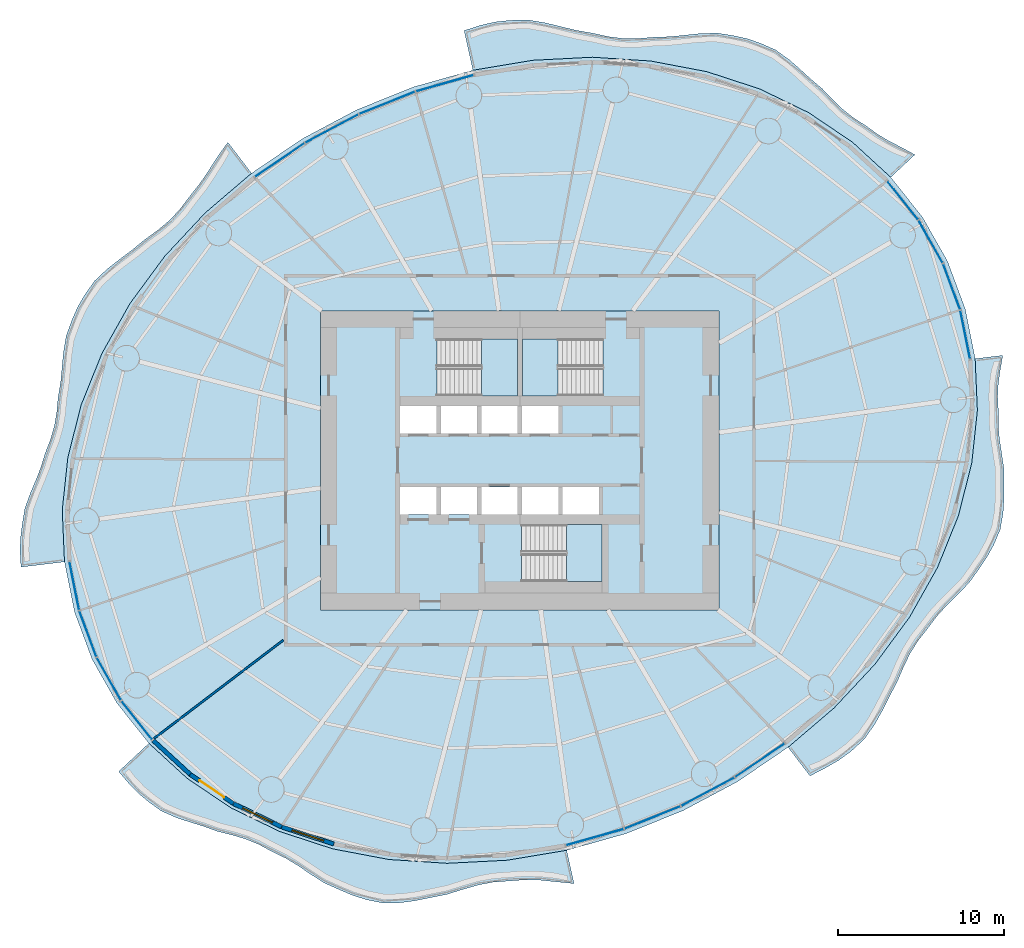
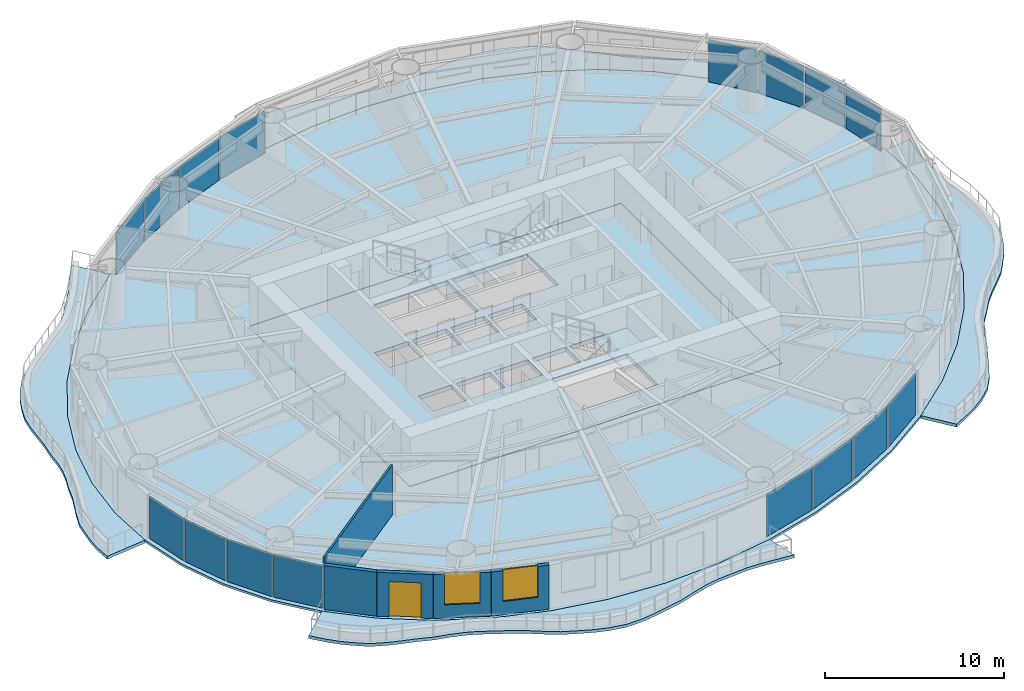
# One storey, part 7 of 14: 16 plates, 9 slabs, 5 walls, 2 windows, 1 door, 3 openings, 19 elements without a shape of their own.
"""IFC4 building model written with IfcOpenShell, lengths in metres."""

from ifc_helpers import new_model, si_unit, direction, frame, frame_2d, origin, origin_2d, place, context, subcontext, project, spatial, polyline, rectangle, outline, extrude, material, layer, layer_set, type_object, element, fill, aggregate, save


model = new_model("IFC4")

# Units and contexts
model_context = context("Model", 3, precision=1e-05, world=origin(), true_north=direction((0.0, 1.0)))
body_context = subcontext(model_context, "Body", "Model", "MODEL_VIEW")
ifc_project = project(units=[si_unit("LENGTHUNIT", "METRE"), si_unit("AREAUNIT", "SQUARE_METRE"), si_unit("VOLUMEUNIT", "CUBIC_METRE"), si_unit("PLANEANGLEUNIT", "RADIAN"), si_unit("MASSUNIT", "GRAM", prefix="KILO")], contexts=[model_context])

# Site, building, storey
site_placement = place(None, origin())
site = spatial("IfcSite", under=ifc_project, at=site_placement, CompositionType="ELEMENT")
building_placement = place(site_placement, origin())
building = spatial("IfcBuilding", under=site, at=building_placement, Name="Vermilion Reach Broadcast Tower", CompositionType="ELEMENT")
storey_placement = place(building_placement, frame((0.0, 0.0, 131.800048828125)))
storey = spatial("IfcBuildingStorey", under=building, at=storey_placement, Name="L31", CompositionType="ELEMENT", Elevation=131.800048828125)

# Slabs
ifc_material_1 = material(Name="Concrete C40/50", Category="concrete")
ifc_layer_1 = layer(ifc_material_1, 0.199951171875)
ifc_layer_set_1 = layer_set([ifc_layer_1], Name="Balcony slab 200")
slab_type_1 = type_object("IfcSlabType", Name="Balcony slab 200", PredefinedType="FLOOR", material=ifc_layer_set_1)
placement_1 = place(storey_placement, frame((0.0, 0.0, -0.199951171875)))
element("IfcSlab", 1, at=placement_1, inside=storey, type_object=slab_type_1, Name="Balcony slab L31 group 1", PredefinedType="FLOOR", context=body_context, shape_type="SweptSolid", body=[
    extrude(outline(polyline([(16.330078125, 17.0380859375), (14.031005859375, 19.147705078125), (11.388916015625, 20.9296875), (8.449462890625, 22.353515625), (5.262939453125, 23.39501953125), (1.883544921875, 24.0361328125), (-1.630859375, 24.265869140625), (-5.2197265625, 24.08056640625), (-8.822265625, 23.483154296875), (-9.35400390625, 25.87060546875), (-8.346435546875, 26.1943359375), (-7.45458984375, 26.396240234375), (-6.544677734375, 26.489990234375), (-5.482666015625, 26.5068359375), (-4.436279296875, 26.331298828125), (-3.525390625, 26.10986328125), (-2.6142578125, 25.889892578125), (-1.620849609375, 25.71630859375), (-0.667236328125, 25.507568359375), (0.2080078125, 25.3984375), (1.08984375, 25.39111328125), (2.066162109375, 25.472412109375), (3.037353515625, 25.5048828125), (3.929443359375, 25.593505859375), (4.822509765625, 25.6875), (5.861328125, 25.72265625), (6.855224609375, 25.569091796875), (7.67724609375, 25.38623046875), (8.470703125, 25.116455078125), (9.3994140625, 24.70751953125), (10.213623046875, 24.1220703125), (10.85107421875, 23.56494140625), (11.478271484375, 22.986572265625), (12.214599609375, 22.36376953125), (12.862060546875, 21.688720703125), (13.445068359375, 21.128662109375), (14.07080078125, 20.631591796875), (14.822021484375, 20.150390625), (15.533935546875, 19.6318359375), (16.220703125, 19.226318359375), (16.939208984375, 18.855712890625), (17.78662109375, 18.397705078125), (16.330078125, 17.0380859375)])), origin(), (0.0, 0.0, 1.0), 0.199951171875),
])
element("IfcSlab", 2, at=placement_1, inside=storey, type_object=slab_type_1, Name="Balcony slab L31 group 2", PredefinedType="FLOOR", context=body_context, shape_type="SweptSolid", body=[
    extrude(outline(polyline([(-22.151123046875, 17.279296875), (-24.927490234375, 14.907470703125), (-27.380126953125, 12.28076171875), (-29.467041015625, 9.44384765625), (-31.15234375, 6.4453125), (-32.4072265625, 3.33642578125), (-33.210205078125, 0.170654296875), (-33.5478515625, -2.998291015625), (-33.413818359375, -6.11572265625), (-36.032470703125, -6.43212890625), (-36.091552734375, -5.449951171875), (-36.06201171875, -4.667724609375), (-35.9599609375, -3.882568359375), (-35.80810546875, -2.9267578125), (-35.474365234375, -1.991943359375), (-35.14990234375, -1.225341796875), (-34.845458984375, -0.45654296875), (-34.576904296875, 0.41552734375), (-34.24658203125, 1.27587890625), (-34.0224609375, 2.0615234375), (-33.883544921875, 2.868408203125), (-33.797119140625, 3.791015625), (-33.64208984375, 4.73876953125), (-33.558349609375, 5.60888671875), (-33.478515625, 6.48046875), (-33.31396484375, 7.483642578125), (-32.96337890625, 8.44970703125), (-32.6142578125, 9.23974609375), (-32.180908203125, 9.982666015625), (-31.58935546875, 10.8134765625), (-30.82080078125, 11.532470703125), (-30.09912109375, 12.0947265625), (-29.362060546875, 12.6455078125), (-28.5869140625, 13.281982421875), (-27.769287109375, 13.873046875), (-27.078125, 14.457275390625), (-26.463134765625, 15.112060546875), (-25.8720703125, 15.894775390625), (-25.24560546875, 16.685302734375), (-24.717529296875, 17.472900390625), (-24.203369140625, 18.2763671875), (-23.576904296875, 19.146728515625), (-22.151123046875, 17.279296875)])), origin(), (0.0, 0.0, 1.0), 0.199951171875),
])
element("IfcSlab", 3, at=placement_1, inside=storey, type_object=slab_type_1, Name="Balcony slab L31 group 3", PredefinedType="FLOOR", context=body_context, shape_type="SweptSolid", body=[
    extrude(outline(polyline([(-28.330078125, -17.0380859375), (-26.031005859375, -19.147705078125), (-23.388916015625, -20.9296875), (-20.449462890625, -22.353515625), (-17.262939453125, -23.39501953125), (-13.883544921875, -24.0361328125), (-10.369140625, -24.265869140625), (-6.7802734375, -24.08056640625), (-3.177734375, -23.483154296875), (-2.7314453125, -25.48681640625), (-3.788330078125, -25.381591796875), (-4.729736328125, -25.28564453125), (-5.66015625, -25.255126953125), (-6.644775390625, -25.330322265625), (-7.611572265625, -25.40087890625), (-8.502685546875, -25.570068359375), (-9.38916015625, -25.82275390625), (-10.382080078125, -26.13330078125), (-11.386962890625, -26.334716796875), (-12.28125, -26.51708984375), (-13.17138671875, -26.63818359375), (-14.217041015625, -26.661376953125), (-15.21923828125, -26.463134765625), (-16.044921875, -26.201416015625), (-16.85546875, -25.860595703125), (-17.788818359375, -25.4404296875), (-18.63525390625, -24.896240234375), (-19.35693359375, -24.40625), (-20.092529296875, -23.958740234375), (-20.932861328125, -23.551513671875), (-21.7294921875, -23.12255859375), (-22.48583984375, -22.81103515625), (-23.277587890625, -22.57275390625), (-24.202392578125, -22.3427734375), (-25.087890625, -22.023681640625), (-25.8837890625, -21.77880859375), (-26.66943359375, -21.51904296875), (-27.585205078125, -21.117919921875), (-28.373291015625, -20.546630859375), (-28.971923828125, -20.04541015625), (-29.5166015625, -19.48486328125), (-30.152099609375, -18.739013671875), (-28.330078125, -17.0380859375)])), origin(), (0.0, 0.0, 1.0), 0.199951171875),
])
element("IfcSlab", 4, at=placement_1, inside=storey, type_object=slab_type_1, Name="Balcony slab L31 group 4", PredefinedType="FLOOR", context=body_context, shape_type="SweptSolid", body=[
    extrude(outline(polyline([(10.151123046875, -17.279296875), (12.927490234375, -14.907470703125), (15.380126953125, -12.28076171875), (17.467041015625, -9.44384765625), (19.15234375, -6.4453125), (20.4072265625, -3.33642578125), (21.210205078125, -0.170654296875), (21.5478515625, 2.998291015625), (21.413818359375, 6.11572265625), (23.080078125, 6.31689453125), (22.92041015625, 5.399658203125), (22.809814453125, 4.614013671875), (22.770263671875, 3.83154296875), (22.814208984375, 2.958251953125), (22.80712890625, 2.06298828125), (22.881103515625, 1.25390625), (23.007568359375, 0.439208984375), (23.146240234375, -0.517333984375), (23.14697265625, -1.504150390625), (23.151123046875, -2.34765625), (23.098388671875, -3.1767578125), (22.92626953125, -4.16015625), (22.53271484375, -5.098388671875), (22.122802734375, -5.836669921875), (21.64208984375, -6.54638671875), (21.06201171875, -7.362548828125), (20.3466796875, -8.10302734375), (19.709716796875, -8.7314453125), (19.114501953125, -9.38330078125), (18.546630859375, -10.140625), (17.953857421875, -10.89501953125), (17.489501953125, -11.646240234375), (17.0986328125, -12.451904296875), (16.702880859375, -13.37841796875), (16.218505859375, -14.29248046875), (15.798583984375, -15.129638671875), (15.34521484375, -15.935791015625), (14.734130859375, -16.795654296875), (13.953857421875, -17.5146484375), (13.214599609375, -18.0546875), (12.411376953125, -18.519775390625), (11.470458984375, -19.00732421875), (10.151123046875, -17.279296875)])), origin(), (0.0, 0.0, 1.0), 0.199951171875),
])
ifc_material_2 = material(Name="Concrete C40", Category="concrete")
ifc_layer_2 = layer(ifc_material_2, 0.300048828125)
ifc_layer_set_2 = layer_set([ifc_layer_2], Name="Core floor slab 300 mm Concrete C40")
slab_type_2 = type_object("IfcSlabType", Name="Core floor slab 300 mm Concrete C40", PredefinedType="FLOOR", material=ifc_layer_set_2)
slab_5_placement = place(storey_placement, frame((0.0, 0.0, -0.300048828125)))
element("IfcSlab", 5, at=slab_5_placement, inside=storey, type_object=slab_type_2, Name="L31 core floor", PredefinedType="FLOOR", context=body_context, shape_type="SweptSolid", body=[
    extrude(outline(polyline([(-18.0, -9.0), (6.0, -9.0), (6.0, 9.0), (-18.0, 9.0), (-18.0, -9.0)]), holes=[polyline([(-13.199951171875, 1.60009765625), (-11.00830078125, 1.60009765625), (-11.00830078125, 3.280029296875), (-13.199951171875, 3.280029296875), (-13.199951171875, 1.60009765625)]), polyline([(-10.75830078125, 1.60009765625), (-8.566650390625, 1.60009765625), (-8.566650390625, 3.280029296875), (-10.75830078125, 3.280029296875), (-10.75830078125, 1.60009765625)]), polyline([(-8.316650390625, 1.60009765625), (-6.125, 1.60009765625), (-6.125, 3.280029296875), (-8.316650390625, 3.280029296875), (-8.316650390625, 1.60009765625)]), polyline([(-5.875, 1.60009765625), (-3.683349609375, 1.60009765625), (-3.683349609375, 3.280029296875), (-5.875, 3.280029296875), (-5.875, 1.60009765625)]), polyline([(-13.199951171875, -3.280029296875), (-11.00830078125, -3.280029296875), (-11.00830078125, -1.60009765625), (-13.199951171875, -1.60009765625), (-13.199951171875, -3.280029296875)]), polyline([(-10.75830078125, -3.280029296875), (-8.566650390625, -3.280029296875), (-8.566650390625, -1.60009765625), (-10.75830078125, -1.60009765625), (-10.75830078125, -3.280029296875)]), polyline([(-8.316650390625, -3.280029296875), (-6.125, -3.280029296875), (-6.125, -1.60009765625), (-8.316650390625, -1.60009765625), (-8.316650390625, -3.280029296875)]), polyline([(-5.875, -3.280029296875), (-3.683349609375, -3.280029296875), (-3.683349609375, -1.60009765625), (-5.875, -1.60009765625), (-5.875, -3.280029296875)]), polyline([(-3.433349609375, -3.280029296875), (-1.24169921875, -3.280029296875), (-1.24169921875, -1.60009765625), (-3.433349609375, -1.60009765625), (-3.433349609375, -3.280029296875)]), polyline([(-10.999267578125, 3.8798828125), (-6.14990234375, 3.8798828125), (-6.14990234375, 7.300048828125), (-10.999267578125, 7.300048828125), (-10.999267578125, 3.8798828125)]), polyline([(-1.000732421875, 7.300048828125), (-5.85009765625, 7.300048828125), (-5.85009765625, 3.8798828125), (-1.000732421875, 3.8798828125), (-1.000732421875, 7.300048828125)]), polyline([(-5.8994140625, -7.300048828125), (-1.050048828125, -7.300048828125), (-1.050048828125, -3.8798828125), (-5.8994140625, -3.8798828125), (-5.8994140625, -7.300048828125)])]), origin(), (0.0, 0.0, 1.0), 0.300048828125),
])

# Stair, slab
ifc_material_3 = material(Name="Concrete C40", Category="concrete")
stair_type = type_object("IfcStairType", Name="Exit stair RC 22 risers 164 mm", PredefinedType="HALF_TURN_STAIR", material=ifc_material_3)
placement_2 = place(storey_placement, origin())
stair_1 = element("IfcStair", 6, at=placement_2, inside=storey, type_object=stair_type, Name="L31 Exit stair ST1", PredefinedType="HALF_TURN_STAIR")
ifc_material_4 = material(Name="Concrete C40", Category="concrete")
ifc_layer_3 = layer(ifc_material_4, 0.199951171875)
ifc_layer_set_3 = layer_set([ifc_layer_3], Name="Exit stair landing Concrete C40")
slab_type_3 = type_object("IfcSlabType", Name="Exit stair landing Concrete C40", PredefinedType="LANDING", material=ifc_layer_set_3)
placement_3 = place(storey_placement, frame((0.0, 0.0, 1.599853515625)))
slab_6 = element("IfcSlab", 7, at=placement_3, type_object=slab_type_3, Name="ST1 landing 1", PredefinedType="LANDING", context=body_context, shape_type="SweptSolid", body=[
    extrude(outline(polyline([(-8.300048828125, 3.8798828125), (-6.14990234375, 3.8798828125), (-6.14990234375, 7.300048828125), (-8.300048828125, 7.300048828125), (-8.300048828125, 3.8798828125)])), origin(), (0.0, 0.0, 1.0), 0.2001953125),
])
aggregate(stair_1, [slab_6])

stair_2 = element("IfcStair", 8, at=placement_2, inside=storey, type_object=stair_type, Name="L31 Exit stair ST2", PredefinedType="HALF_TURN_STAIR")
slab_7 = element("IfcSlab", 9, at=placement_3, type_object=slab_type_3, Name="ST2 landing 1", PredefinedType="LANDING", context=body_context, shape_type="SweptSolid", body=[
    extrude(outline(polyline([(-3.699951171875, 7.300048828125), (-5.85009765625, 7.300048828125), (-5.85009765625, 3.8798828125), (-3.699951171875, 3.8798828125), (-3.699951171875, 7.300048828125)])), origin(), (0.0, 0.0, 1.0), 0.2001953125),
])
aggregate(stair_2, [slab_7])

stair_3 = element("IfcStair", 10, at=placement_2, inside=storey, type_object=stair_type, Name="L31 Exit stair ST3", PredefinedType="HALF_TURN_STAIR")
slab_8 = element("IfcSlab", 11, at=placement_3, type_object=slab_type_3, Name="ST3 landing 1", PredefinedType="LANDING", context=body_context, shape_type="SweptSolid", body=[
    extrude(outline(polyline([(-3.199951171875, -7.300048828125), (-1.050048828125, -7.300048828125), (-1.050048828125, -3.8798828125), (-3.199951171875, -3.8798828125), (-3.199951171875, -7.300048828125)])), origin(), (0.0, 0.0, 1.0), 0.2001953125),
])
aggregate(stair_3, [slab_8])

# Slab
ifc_material_5 = material(Name="Concrete C40", Category="concrete")
ifc_layer_4 = layer(ifc_material_5, 0.14990234375)
ifc_layer_set_4 = layer_set([ifc_layer_4], Name="Floor slab Concrete C40 composite 150")
slab_type_4 = type_object("IfcSlabType", Name="Floor slab Concrete C40 composite 150", PredefinedType="FLOOR", material=ifc_layer_set_4)
slab_9_placement = place(storey_placement, frame((0.0, 0.0, -0.150146484375)))
element("IfcSlab", 12, at=slab_9_placement, inside=storey, type_object=slab_type_4, Name="Floor slab L31", PredefinedType="FLOOR", context=body_context, shape_type="SweptSolid", body=[
    extrude(outline(polyline([(19.74951171875, 11.9853515625), (18.2470703125, 14.636962890625), (16.330078125, 17.0380859375), (14.031005859375, 19.147705078125), (11.388916015625, 20.9296875), (8.449462890625, 22.353515625), (5.262939453125, 23.39501953125), (1.883544921875, 24.0361328125), (-1.630859375, 24.265869140625), (-5.2197265625, 24.08056640625), (-8.822265625, 23.483154296875), (-12.376220703125, 22.484130859375), (-15.8212890625, 21.10009765625), (-19.09814453125, 19.355224609375), (-22.151123046875, 17.279296875), (-24.927490234375, 14.907470703125), (-27.380126953125, 12.28076171875), (-29.467041015625, 9.44384765625), (-31.15234375, 6.4453125), (-32.4072265625, 3.33642578125), (-33.210205078125, 0.170654296875), (-33.5478515625, -2.998291015625), (-33.413818359375, -6.11572265625), (-32.81103515625, -9.128662109375), (-31.74951171875, -11.9853515625), (-30.2470703125, -14.636962890625), (-28.330078125, -17.0380859375), (-26.031005859375, -19.147705078125), (-23.388916015625, -20.9296875), (-20.449462890625, -22.353515625), (-17.262939453125, -23.39501953125), (-13.883544921875, -24.0361328125), (-10.369140625, -24.265869140625), (-6.7802734375, -24.08056640625), (-3.177734375, -23.483154296875), (0.376220703125, -22.484130859375), (3.8212890625, -21.10009765625), (7.09814453125, -19.355224609375), (10.151123046875, -17.279296875), (12.927490234375, -14.907470703125), (15.380126953125, -12.28076171875), (17.467041015625, -9.44384765625), (19.15234375, -6.4453125), (20.4072265625, -3.33642578125), (21.210205078125, -0.170654296875), (21.5478515625, 2.998291015625), (21.413818359375, 6.11572265625), (20.81103515625, 9.128662109375), (19.74951171875, 11.9853515625)]), holes=[polyline([(-18.0, -9.0), (6.0, -9.0), (6.0, 9.0), (-18.0, 9.0), (-18.0, -9.0)])]), origin(), (0.0, 0.0, 1.0), 0.150146484375),
])

# Curtain wall, plate
ifc_material_6 = material(Name="Low-e laminated clear glass in aluminium frame", Category="aluminium")
curtain_wall_type = type_object("IfcCurtainWallType", Name="Slot curtain wall", PredefinedType="NOTDEFINED", material=ifc_material_6)
curtain_wall_1 = element("IfcCurtainWall", 13, at=placement_2, inside=storey, type_object=curtain_wall_type, Name="Slot curtain wall L31 46", PredefinedType="NOTDEFINED")
ifc_material_7 = material(Name="Low-e laminated clear glass", Category="glass")
ifc_layer_5 = layer(ifc_material_7, 0.028076171875)
ifc_layer_set_5 = layer_set([ifc_layer_5], Name="Slot glass panel")
plate_type = type_object("IfcPlateType", Name="Slot glass panel", PredefinedType="CURTAIN_PANEL", material=ifc_layer_set_5)
plate_1_placement = place(storey_placement, frame((20.8193359375, 7.563232421875, 0.0), z_axis=(0.0, 0.0, 1.0), x_axis=(-0.196210965513, 0.980561704847, 0.0)))
plate_1 = element("IfcPlate", 14, at=plate_1_placement, type_object=plate_type, Name="Slot glass panel L31 46", PredefinedType="CURTAIN_PANEL", context=body_context, shape_type="SweptSolid", body=[
    extrude(rectangle(XDim=2.945556640625, YDim=0.028076171875, at=origin_2d()), origin(), (0.0, 0.0, 1.0), 2.89990234375),
])
aggregate(curtain_wall_1, [plate_1])

curtain_wall_2 = element("IfcCurtainWall", 15, at=placement_2, inside=storey, type_object=curtain_wall_type, Name="Slot curtain wall L31 47", PredefinedType="NOTDEFINED")
plate_2_placement = place(storey_placement, frame((20.0, 10.45263671875, 0.0), z_axis=(0.0, 0.0, 1.0), x_axis=(-0.348355642205, 0.937362441398, 0.0)))
plate_2 = element("IfcPlate", 16, at=plate_2_placement, type_object=plate_type, Name="Slot glass panel L31 47", PredefinedType="CURTAIN_PANEL", context=body_context, shape_type="SweptSolid", body=[
    extrude(rectangle(XDim=2.919921875, YDim=0.028076171875, at=origin_2d()), origin(), (0.0, 0.0, 1.0), 2.89990234375),
])
aggregate(curtain_wall_2, [plate_2])

curtain_wall_3 = element("IfcCurtainWall", 17, at=placement_2, inside=storey, type_object=curtain_wall_type, Name="Slot curtain wall L31 00", PredefinedType="NOTDEFINED")
plate_3_placement = place(storey_placement, frame((18.738037109375, 13.16357421875, 0.0), z_axis=(0.0, 0.0, 1.0), x_axis=(-0.492928174306, 0.87007000579, 0.0)))
plate_3 = element("IfcPlate", 18, at=plate_3_placement, type_object=plate_type, Name="Slot glass panel L31 00", PredefinedType="CURTAIN_PANEL", context=body_context, shape_type="SweptSolid", body=[
    extrude(rectangle(XDim=2.919921875, YDim=0.028076171875, at=origin_2d()), origin(), (0.0, 0.0, 1.0), 2.89990234375),
])
aggregate(curtain_wall_3, [plate_3])

curtain_wall_4 = element("IfcCurtainWall", 19, at=placement_2, inside=storey, type_object=curtain_wall_type, Name="Slot curtain wall L31 01", PredefinedType="NOTDEFINED")
plate_4_placement = place(storey_placement, frame((17.054931640625, 15.65087890625, 0.0), z_axis=(0.0, 0.0, 1.0), x_axis=(-0.623941312203, 0.781471201597, 0.0)))
plate_4 = element("IfcPlate", 20, at=plate_4_placement, type_object=plate_type, Name="Slot glass panel L31 01", PredefinedType="CURTAIN_PANEL", context=body_context, shape_type="SweptSolid", body=[
    extrude(rectangle(XDim=2.945556640625, YDim=0.028076171875, at=origin_2d()), origin(), (0.0, 0.0, 1.0), 2.89990234375),
])
aggregate(curtain_wall_4, [plate_4])

curtain_wall_5 = element("IfcCurtainWall", 21, at=placement_2, inside=storey, type_object=curtain_wall_type, Name="Slot curtain wall L31 10", PredefinedType="NOTDEFINED")
plate_5_placement = place(storey_placement, frame((-10.518310546875, 22.6953125, 0.0), z_axis=(0.0, 0.0, 1.0), x_axis=(-0.962680136913, -0.270641744733, 0.0)))
plate_5 = element("IfcPlate", 22, at=plate_5_placement, type_object=plate_type, Name="Slot glass panel L31 10", PredefinedType="CURTAIN_PANEL", context=body_context, shape_type="SweptSolid", body=[
    extrude(rectangle(XDim=3.579345703125, YDim=0.028076171875, at=origin_2d()), origin(), (0.0, 0.0, 1.0), 2.89990234375),
])
aggregate(curtain_wall_5, [plate_5])

curtain_wall_6 = element("IfcCurtainWall", 23, at=placement_2, inside=storey, type_object=curtain_wall_type, Name="Slot curtain wall L31 11", PredefinedType="NOTDEFINED")
plate_6_placement = place(storey_placement, frame((-13.987060546875, 21.51416015625, 0.0), z_axis=(0.0, 0.0, 1.0), x_axis=(-0.927929446802, -0.372755874209, 0.0)))
plate_6 = element("IfcPlate", 24, at=plate_6_placement, type_object=plate_type, Name="Slot glass panel L31 11", PredefinedType="CURTAIN_PANEL", context=body_context, shape_type="SweptSolid", body=[
    extrude(rectangle(XDim=3.600341796875, YDim=0.028076171875, at=origin_2d()), origin(), (0.0, 0.0, 1.0), 2.89990234375),
])
aggregate(curtain_wall_6, [plate_6])

curtain_wall_7 = element("IfcCurtainWall", 25, at=placement_2, inside=storey, type_object=curtain_wall_type, Name="Slot curtain wall L31 12", PredefinedType="NOTDEFINED")
plate_7_placement = place(storey_placement, frame((-17.31884765625, 19.96337890625, 0.0), z_axis=(0.0, 0.0, 1.0), x_axis=(-0.882666279553, -0.470000254191, 0.0)))
plate_7 = element("IfcPlate", 26, at=plate_7_placement, type_object=plate_type, Name="Slot glass panel L31 12", PredefinedType="CURTAIN_PANEL", context=body_context, shape_type="SweptSolid", body=[
    extrude(rectangle(XDim=3.600341796875, YDim=0.028076171875, at=origin_2d()), origin(), (0.0, 0.0, 1.0), 2.89990234375),
])
aggregate(curtain_wall_7, [plate_7])

curtain_wall_8 = element("IfcCurtainWall", 27, at=placement_2, inside=storey, type_object=curtain_wall_type, Name="Slot curtain wall L31 13", PredefinedType="NOTDEFINED")
plate_8_placement = place(storey_placement, frame((-20.4560546875, 18.069580078125, 0.0), z_axis=(0.0, 0.0, 1.0), x_axis=(-0.826908360981, -0.562336698553, 0.0)))
plate_8 = element("IfcPlate", 28, at=plate_8_placement, type_object=plate_type, Name="Slot glass panel L31 13", PredefinedType="CURTAIN_PANEL", context=body_context, shape_type="SweptSolid", body=[
    extrude(rectangle(XDim=3.579345703125, YDim=0.028076171875, at=origin_2d()), origin(), (0.0, 0.0, 1.0), 2.89990234375),
])
aggregate(curtain_wall_8, [plate_8])

curtain_wall_9 = element("IfcCurtainWall", 29, at=placement_2, inside=storey, type_object=curtain_wall_type, Name="Slot curtain wall L31 22", PredefinedType="NOTDEFINED")
plate_9_placement = place(storey_placement, frame((-32.8193359375, -7.563232421875, 0.0), z_axis=(0.0, 0.0, 1.0), x_axis=(0.196210965513, -0.980561704847, 0.0)))
plate_9 = element("IfcPlate", 30, at=plate_9_placement, type_object=plate_type, Name="Slot glass panel L31 22", PredefinedType="CURTAIN_PANEL", context=body_context, shape_type="SweptSolid", body=[
    extrude(rectangle(XDim=2.945556640625, YDim=0.028076171875, at=origin_2d()), origin(), (0.0, 0.0, 1.0), 2.89990234375),
])
aggregate(curtain_wall_9, [plate_9])

curtain_wall_10 = element("IfcCurtainWall", 31, at=placement_2, inside=storey, type_object=curtain_wall_type, Name="Slot curtain wall L31 23", PredefinedType="NOTDEFINED")
plate_10_placement = place(storey_placement, frame((-32.0, -10.45263671875, 0.0), z_axis=(0.0, 0.0, 1.0), x_axis=(0.348355642205, -0.937362441398, 0.0)))
plate_10 = element("IfcPlate", 32, at=plate_10_placement, type_object=plate_type, Name="Slot glass panel L31 23", PredefinedType="CURTAIN_PANEL", context=body_context, shape_type="SweptSolid", body=[
    extrude(rectangle(XDim=2.919921875, YDim=0.028076171875, at=origin_2d()), origin(), (0.0, 0.0, 1.0), 2.89990234375),
])
aggregate(curtain_wall_10, [plate_10])

curtain_wall_11 = element("IfcCurtainWall", 33, at=placement_2, inside=storey, type_object=curtain_wall_type, Name="Slot curtain wall L31 24", PredefinedType="NOTDEFINED")
plate_11_placement = place(storey_placement, frame((-30.738037109375, -13.16357421875, 0.0), z_axis=(0.0, 0.0, 1.0), x_axis=(0.492928174306, -0.87007000579, 0.0)))
plate_11 = element("IfcPlate", 34, at=plate_11_placement, type_object=plate_type, Name="Slot glass panel L31 24", PredefinedType="CURTAIN_PANEL", context=body_context, shape_type="SweptSolid", body=[
    extrude(rectangle(XDim=2.919921875, YDim=0.028076171875, at=origin_2d()), origin(), (0.0, 0.0, 1.0), 2.89990234375),
])
aggregate(curtain_wall_11, [plate_11])

curtain_wall_12 = element("IfcCurtainWall", 35, at=placement_2, inside=storey, type_object=curtain_wall_type, Name="Slot curtain wall L31 25", PredefinedType="NOTDEFINED")
plate_12_placement = place(storey_placement, frame((-29.054931640625, -15.65087890625, 0.0), z_axis=(0.0, 0.0, 1.0), x_axis=(0.623941312203, -0.781471201597, 0.0)))
plate_12 = element("IfcPlate", 36, at=plate_12_placement, type_object=plate_type, Name="Slot glass panel L31 25", PredefinedType="CURTAIN_PANEL", context=body_context, shape_type="SweptSolid", body=[
    extrude(rectangle(XDim=2.945556640625, YDim=0.028076171875, at=origin_2d()), origin(), (0.0, 0.0, 1.0), 2.89990234375),
])
aggregate(curtain_wall_12, [plate_12])

curtain_wall_13 = element("IfcCurtainWall", 37, at=placement_2, inside=storey, type_object=curtain_wall_type, Name="Slot curtain wall L31 34", PredefinedType="NOTDEFINED")
plate_13_placement = place(storey_placement, frame((-1.481689453125, -22.6953125, 0.0), z_axis=(0.0, 0.0, 1.0), x_axis=(0.962680136913, 0.270641744733, 0.0)))
plate_13 = element("IfcPlate", 38, at=plate_13_placement, type_object=plate_type, Name="Slot glass panel L31 34", PredefinedType="CURTAIN_PANEL", context=body_context, shape_type="SweptSolid", body=[
    extrude(rectangle(XDim=3.579345703125, YDim=0.028076171875, at=origin_2d()), origin(), (0.0, 0.0, 1.0), 2.89990234375),
])
aggregate(curtain_wall_13, [plate_13])

curtain_wall_14 = element("IfcCurtainWall", 39, at=placement_2, inside=storey, type_object=curtain_wall_type, Name="Slot curtain wall L31 35", PredefinedType="NOTDEFINED")
plate_14_placement = place(storey_placement, frame((1.987060546875, -21.51416015625, 0.0), z_axis=(0.0, 0.0, 1.0), x_axis=(0.927929446802, 0.372755874209, 0.0)))
plate_14 = element("IfcPlate", 40, at=plate_14_placement, type_object=plate_type, Name="Slot glass panel L31 35", PredefinedType="CURTAIN_PANEL", context=body_context, shape_type="SweptSolid", body=[
    extrude(rectangle(XDim=3.600341796875, YDim=0.028076171875, at=origin_2d()), origin(), (0.0, 0.0, 1.0), 2.89990234375),
])
aggregate(curtain_wall_14, [plate_14])

curtain_wall_15 = element("IfcCurtainWall", 41, at=placement_2, inside=storey, type_object=curtain_wall_type, Name="Slot curtain wall L31 36", PredefinedType="NOTDEFINED")
plate_15_placement = place(storey_placement, frame((5.31884765625, -19.96337890625, 0.0), z_axis=(0.0, 0.0, 1.0), x_axis=(0.882666279553, 0.470000254191, 0.0)))
plate_15 = element("IfcPlate", 42, at=plate_15_placement, type_object=plate_type, Name="Slot glass panel L31 36", PredefinedType="CURTAIN_PANEL", context=body_context, shape_type="SweptSolid", body=[
    extrude(rectangle(XDim=3.600341796875, YDim=0.028076171875, at=origin_2d()), origin(), (0.0, 0.0, 1.0), 2.89990234375),
])
aggregate(curtain_wall_15, [plate_15])

curtain_wall_16 = element("IfcCurtainWall", 43, at=placement_2, inside=storey, type_object=curtain_wall_type, Name="Slot curtain wall L31 37", PredefinedType="NOTDEFINED")
plate_16_placement = place(storey_placement, frame((8.4560546875, -18.069580078125, 0.0), z_axis=(0.0, 0.0, 1.0), x_axis=(0.826908360981, 0.562336698553, 0.0)))
plate_16 = element("IfcPlate", 44, at=plate_16_placement, type_object=plate_type, Name="Slot glass panel L31 37", PredefinedType="CURTAIN_PANEL", context=body_context, shape_type="SweptSolid", body=[
    extrude(rectangle(XDim=3.579345703125, YDim=0.028076171875, at=origin_2d()), origin(), (0.0, 0.0, 1.0), 2.89990234375),
])
aggregate(curtain_wall_16, [plate_16])

# Walls
ifc_material_8 = material(Name="Fire-rated plasterboard on steel stud", Category="steel")
ifc_layer_6 = layer(ifc_material_8, 0.125)
ifc_layer_set_6 = layer_set([ifc_layer_6], Name="Partition 125 fire-rated stud")
wall_type_1 = type_object("IfcWallType", Name="Partition 125 fire-rated stud", PredefinedType="PARTITIONING", material=ifc_layer_set_6)
wall_1_placement = place(storey_placement, frame((-28.01953125, -16.747802734375, 0.0), z_axis=(0.0, 0.0, 1.0), x_axis=(0.795936459637, 0.605380171644, 0.0)))
element("IfcWall", 45, at=wall_1_placement, inside=storey, type_object=wall_type_1, Name="Partition 31.09", PredefinedType="PARTITIONING", context=body_context, shape_type="SweptSolid", body=[
    extrude(rectangle(XDim=9.77685546875, YDim=0.125, at=frame_2d((4.888427734375, 0.0))), origin(), (0.0, 0.0, 1.0), 3.39990234375),
])
ifc_material_9 = material(Name="Terracotta rainscreen cladding", Category="masonry")
ifc_layer_7 = layer(ifc_material_9, 0.25)
ifc_layer_set_7 = layer_set([ifc_layer_7], Name="Terracotta rainscreen wall 250")
wall_type_2 = type_object("IfcWallType", Name="Terracotta rainscreen wall 250", PredefinedType="SOLIDWALL", material=ifc_layer_set_7)
wall_2_placement = place(storey_placement, frame((-28.0703125, -16.870361328125, 0.0), z_axis=(0.0, 0.0, 1.0), x_axis=(0.736827064846, -0.676081264724, 0.0)))
element("IfcWall", 46, at=wall_2_placement, inside=storey, type_object=wall_type_2, Name="External wall L31 26", PredefinedType="SOLIDWALL", context=body_context, shape_type="SweptSolid", body=[
    extrude(rectangle(XDim=3.00634765625, YDim=0.25, at=frame_2d((1.503173828125, 0.0))), origin(), (0.0, 0.0, 1.0), 3.0),
])

# Wall, opening, door
wall_3_placement = place(storey_placement, frame((-25.834228515625, -18.91943359375, 0.0), z_axis=(0.0, 0.0, 1.0), x_axis=(0.829037505095, -0.559193003484, 0.0)))
wall_3 = element("IfcWall", 47, at=wall_3_placement, inside=storey, type_object=wall_type_2, Name="External wall L31 27", PredefinedType="SOLIDWALL", context=body_context, shape_type="SweptSolid", body=[
    extrude(rectangle(XDim=3.116943359375, YDim=0.25, at=frame_2d((1.55859375, 0.0))), origin(), (0.0, 0.0, 1.0), 3.0),
])
opening_1_placement = place(wall_3_placement, frame((0.657958984375, 0.0, 0.0)))
opening_1 = element("IfcOpeningElement", 48, at=opening_1_placement, cuts=wall_3, Name="Opening D70", PredefinedType="OPENING", context=body_context, shape_type="SweptSolid", body=[
    extrude(rectangle(XDim=1.800048828125, YDim=2.39990234375, at=frame_2d((0.89990234375, 1.199951171875))), frame((0.0, 0.135009765625, 0.0), z_axis=(0.0, -1.0, 0.0), x_axis=(1.0, 0.0, 0.0)), (0.0, 0.0, 1.0), 0.27001953125),
])
ifc_material_10 = material(Name="Low-e laminated clear glass in aluminium frame", Category="aluminium")
door_type = type_object("IfcDoorType", Name="Balcony sliding door 1800 x 2400", OperationType="DOUBLE_DOOR_SLIDING", PredefinedType="DOOR", material=ifc_material_10)
door_placement = place(opening_1_placement, origin())
door = element("IfcDoor", 49, at=door_placement, inside=storey, type_object=door_type, Name="Balcony door L31 run 07", OperationType="DOUBLE_DOOR_SLIDING", OverallHeight=2.39990234375, OverallWidth=1.800048828125, PredefinedType="DOOR", context=body_context, shape_type="SweptSolid", body=[
    extrude(rectangle(XDim=1.800048828125, YDim=2.39990234375, at=frame_2d((0.89990234375, 1.199951171875))), frame((0.0, 0.02490234375, 0.0), z_axis=(0.0, -1.0, 0.0), x_axis=(1.0, 0.0, 0.0)), (0.0, 0.0, 1.0), 0.050048828125),
])
fill(opening_1, door)

# Wall, opening, window
wall_4_placement = place(storey_placement, frame((-23.22802734375, -20.675048828125, 0.0), z_axis=(0.0, 0.0, 1.0), x_axis=(0.899958400028, -0.435975777102, 0.0)))
wall_4 = element("IfcWall", 50, at=wall_4_placement, inside=storey, type_object=wall_type_2, Name="External wall L31 28", PredefinedType="SOLIDWALL", context=body_context, shape_type="SweptSolid", body=[
    extrude(rectangle(XDim=3.19921875, YDim=0.25, at=frame_2d((1.599609375, 0.0))), origin(), (0.0, 0.0, 1.0), 3.0),
])
opening_2_placement = place(wall_4_placement, frame((0.599609375, 0.0, 0.89990234375)))
opening_2 = element("IfcOpeningElement", 51, at=opening_2_placement, cuts=wall_4, Name="Opening W03", PredefinedType="OPENING", context=body_context, shape_type="SweptSolid", body=[
    extrude(rectangle(XDim=2.0, YDim=2.10009765625, at=frame_2d((1.0, 1.050048828125))), frame((0.0, 0.135009765625, 0.0), z_axis=(0.0, -1.0, 0.0), x_axis=(1.0, 0.0, 0.0)), (0.0, 0.0, 1.0), 0.27001953125),
])
ifc_material_11 = material(Name="Low-e laminated clear glass in aluminium frame", Category="aluminium")
window_type = type_object("IfcWindowType", Name="Punched window 2000 x 2100 sill 900", PartitioningType="SINGLE_PANEL", PredefinedType="WINDOW", material=ifc_material_11)
window_1_placement = place(opening_2_placement, origin())
window_1 = element("IfcWindow", 52, at=window_1_placement, inside=storey, type_object=window_type, Name="Window L31 28", OverallHeight=2.10009765625, OverallWidth=2.0, PartitioningType="SINGLE_PANEL", PredefinedType="WINDOW", context=body_context, shape_type="SweptSolid", body=[
    extrude(rectangle(XDim=2.0, YDim=2.10009765625, at=frame_2d((1.0, 1.050048828125))), frame((0.0, 0.030029296875, 0.0), z_axis=(0.0, -1.0, 0.0), x_axis=(1.0, 0.0, 0.0)), (0.0, 0.0, 1.0), 0.06005859375),
])
fill(opening_2, window_1)

wall_5_placement = place(storey_placement, frame((-20.32568359375, -22.0791015625, 0.0), z_axis=(0.0, 0.0, 1.0), x_axis=(0.950530319669, -0.310631793915, 0.0)))
wall_5 = element("IfcWall", 53, at=wall_5_placement, inside=storey, type_object=wall_type_2, Name="External wall L31 29", PredefinedType="SOLIDWALL", context=body_context, shape_type="SweptSolid", body=[
    extrude(rectangle(XDim=3.288330078125, YDim=0.25, at=frame_2d((1.64404296875, 0.0))), origin(), (0.0, 0.0, 1.0), 3.0),
])
opening_3_placement = place(wall_5_placement, frame((0.644287109375, 0.0, 0.89990234375)))
opening_3 = element("IfcOpeningElement", 54, at=opening_3_placement, cuts=wall_5, Name="Opening W03", PredefinedType="OPENING", context=body_context, shape_type="SweptSolid", body=[
    extrude(rectangle(XDim=2.0, YDim=2.10009765625, at=frame_2d((1.0, 1.050048828125))), frame((0.0, 0.135009765625, 0.0), z_axis=(0.0, -1.0, 0.0), x_axis=(1.0, 0.0, 0.0)), (0.0, 0.0, 1.0), 0.27001953125),
])
window_2_placement = place(opening_3_placement, origin())
window_2 = element("IfcWindow", 55, at=window_2_placement, inside=storey, type_object=window_type, Name="Window L31 29", OverallHeight=2.10009765625, OverallWidth=2.0, PartitioningType="SINGLE_PANEL", PredefinedType="WINDOW", context=body_context, shape_type="SweptSolid", body=[
    extrude(rectangle(XDim=2.0, YDim=2.10009765625, at=frame_2d((1.0, 1.050048828125))), frame((0.0, 0.030029296875, 0.0), z_axis=(0.0, -1.0, 0.0), x_axis=(1.0, 0.0, 0.0)), (0.0, 0.0, 1.0), 0.06005859375),
])
fill(opening_3, window_2)

save(model, "model.ifc")
